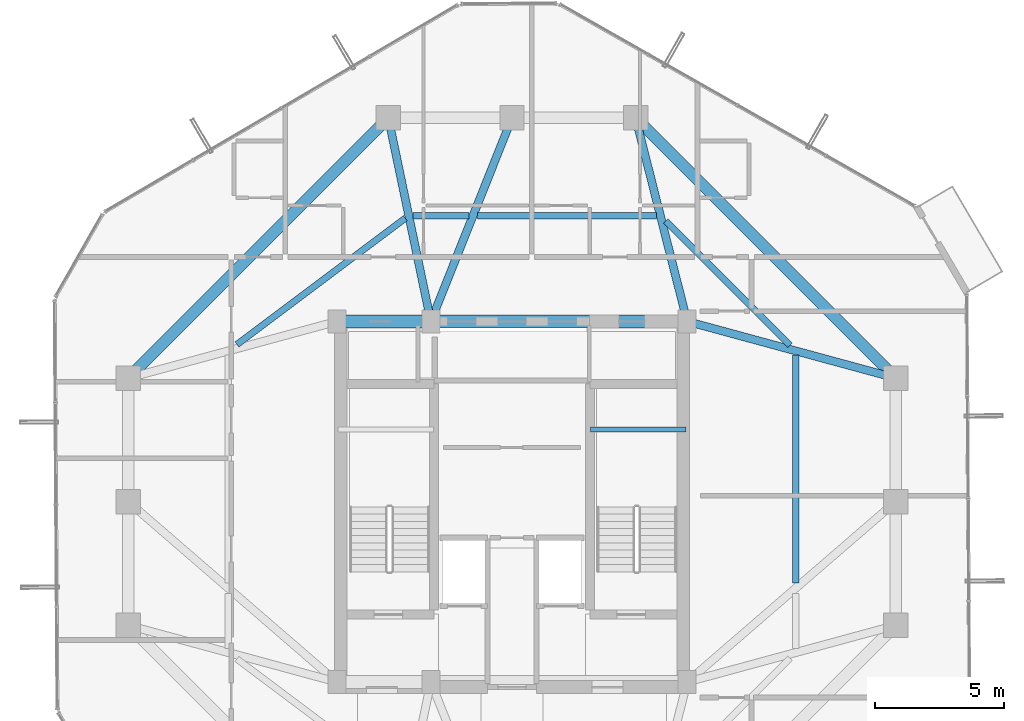
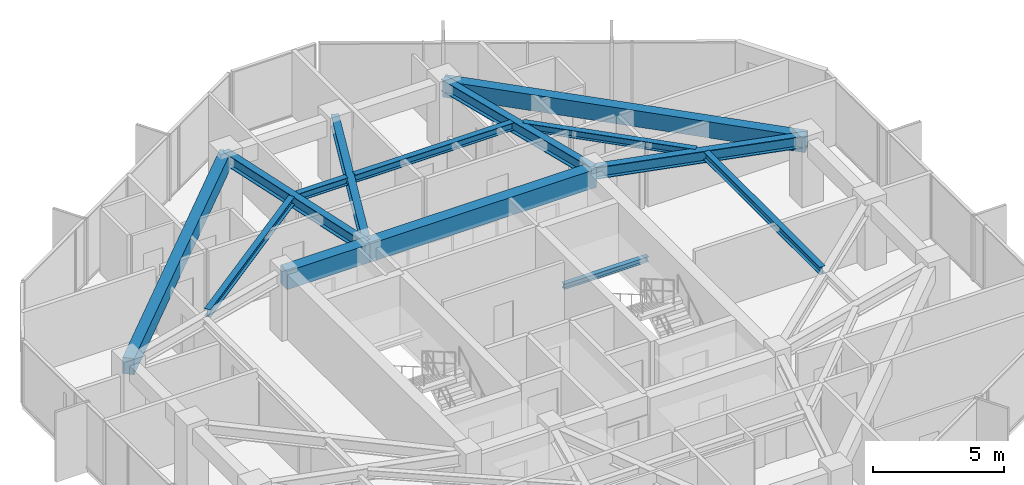
# One storey, part 16 of 31: 14 beams.
"""IFC4 building model written with IfcOpenShell, lengths in metres."""

from ifc_helpers import new_model, si_unit, direction, frame, origin, origin_2d, place, context, subcontext, project, spatial, rectangle, i_section, extrude, material, material_profile, profile_set, type_object, element, save


model = new_model("IFC4")

# Units and contexts
model_context = context("Model", 3, precision=1e-05, world=origin(), true_north=direction((0.0, 1.0)))
body_context = subcontext(model_context, "Body", "Model", "MODEL_VIEW")
ifc_project = project(units=[si_unit("LENGTHUNIT", "METRE"), si_unit("AREAUNIT", "SQUARE_METRE"), si_unit("VOLUMEUNIT", "CUBIC_METRE"), si_unit("PLANEANGLEUNIT", "RADIAN"), si_unit("MASSUNIT", "GRAM", prefix="KILO")], contexts=[model_context])

# Site, building, storey
site_placement = place(None, origin())
site = spatial("IfcSite", under=ifc_project, at=site_placement, CompositionType="ELEMENT")
building_placement = place(site_placement, origin())
building = spatial("IfcBuilding", under=site, at=building_placement, Name="Veraguas Prism Commons", CompositionType="ELEMENT")
storey_placement = place(building_placement, frame((0.0, 0.0, 204.85009765625)))
storey = spatial("IfcBuildingStorey", under=building, at=storey_placement, Name="L58", CompositionType="ELEMENT", Elevation=204.85009765625)

# Beams
ifc_material_1 = material(Name="Concrete C50/60", Category="concrete")
ifc_material_profile_1 = material_profile(ifc_material_1, rectangle(XDim=0.5, YDim=0.85009765625, at=origin_2d()), Name="RC500X850")
ifc_profile_set_1 = profile_set([ifc_material_profile_1], Name="Concrete C50/60")
beam_type_1 = type_object("IfcBeamType", Name="Core Coupling Beam RC 500x850", PredefinedType="BEAM", material=ifc_profile_set_1)
beam_1_placement = place(storey_placement, frame((17.199951171875, 31.0, 2.58984375), z_axis=(1.0, 0.0, 0.0), x_axis=(0.0, 1.0, 0.0)))
element("IfcBeam", 1, at=beam_1_placement, inside=storey, type_object=beam_type_1, Name="Core Coupling Beam L58-CRN1", PredefinedType="BEAM", context=body_context, shape_type="SweptSolid", body=[
    extrude(rectangle(XDim=0.5, YDim=0.85009765625, at=origin_2d()), origin(), (0.0, 0.0, 1.0), 3.650146484375),
])
beam_2_placement = place(storey_placement, frame((20.85009765625, 31.0, 2.58984375), z_axis=(1.0, 0.0, 0.0), x_axis=(0.0, 1.0, 0.0)))
element("IfcBeam", 2, at=beam_2_placement, inside=storey, type_object=beam_type_1, Name="Core Coupling Beam L58-CRN2", PredefinedType="BEAM", context=body_context, shape_type="SweptSolid", body=[
    extrude(rectangle(XDim=0.5, YDim=0.85009765625, at=origin_2d()), origin(), (0.0, 0.0, 1.0), 9.949951171875),
])
ifc_material_profile_2 = material_profile(ifc_material_1, rectangle(XDim=0.449951171875, YDim=0.75, at=origin_2d()), Name="RC450X750")
ifc_profile_set_2 = profile_set([ifc_material_profile_2], Name="Concrete C50/60")
beam_type_2 = type_object("IfcBeamType", Name="Perimeter Spandrel Upper RC 450x750", PredefinedType="SPANDREL", material=ifc_profile_set_2)
for number, where, z_axis, x_axis, name in (
    (3, (38.89990234375, 28.800048828125, 2.639892578125), (-0.707106781187, 0.707106781187, 0.0), (-0.707106781187, -0.707106781187, 0.0), "Perimeter Spandrel Beam L58-SP03"),
    (4, (19.199951171875, 38.89990234375, 2.639892578125), (-0.707106781187, -0.707106781187, 0.0), (0.707106781187, -0.707106781187, 0.0), "Perimeter Spandrel Beam L58-SP06"),
):
    element("IfcBeam", number, at=place(storey_placement, frame(where, z_axis=z_axis, x_axis=x_axis)), inside=storey, type_object=beam_type_2, Name=name, PredefinedType="SPANDREL", context=body_context, shape_type="SweptSolid", body=[
        extrude(rectangle(XDim=0.449951171875, YDim=0.75, at=origin_2d()), origin(), (0.0, 0.0, 1.0), 14.283447265625),
    ])
ifc_material_2 = material(Name="Steel ASTM A992 Grade 50", Category="steel")
ifc_material_profile_3 = material_profile(ifc_material_2, i_section(OverallWidth=0.202880859375, OverallDepth=0.251953125, WebThickness=0.008056640625, FlangeThickness=0.013427734375, at=origin_2d()), Name="W250X58")
ifc_profile_set_3 = profile_set([ifc_material_profile_3], Name="Steel ASTM A992 Grade 50")
beam_type_3 = type_object("IfcBeamType", Name="Structural Opening Lintel W250x58", PredefinedType="LINTEL", material=ifc_profile_set_3)
beam_3_placement = place(storey_placement, frame((27.050048828125, 26.800048828125, 1.298828125), z_axis=(1.0, 0.0, 0.0), x_axis=(0.0, 1.0, 0.0)))
element("IfcBeam", 5, at=beam_3_placement, inside=storey, type_object=beam_type_3, Name="Stair ST-02 Half-Landing Support Beam L58-1", PredefinedType="LINTEL", context=body_context, shape_type="SweptSolid", body=[
    extrude(i_section(OverallWidth=0.202880859375, OverallDepth=0.251953125, WebThickness=0.008056640625, FlangeThickness=0.013427734375, at=origin_2d()), origin(), (0.0, 0.0, 1.0), 3.699951171875),
])
ifc_material_profile_4 = material_profile(ifc_material_2, i_section(OverallWidth=0.25390625, OverallDepth=0.35302734375, WebThickness=0.009521484375, FlangeThickness=0.016357421875, at=origin_2d()), Name="W360X91")
ifc_profile_set_4 = profile_set([ifc_material_profile_4], Name="Steel ASTM A992 Grade 50")
beam_type_4 = type_object("IfcBeamType", Name="Upper Floor Joist W360x91", PredefinedType="JOIST", material=ifc_profile_set_4)
beam_4_placement = place(storey_placement, frame((35.011962890625, 20.843017578125, 2.83837890625), z_axis=(0.0, 1.0, 0.0), x_axis=(-1.0, 0.0, 0.0)))
element("IfcBeam", 6, at=beam_4_placement, inside=storey, type_object=beam_type_4, Name="Composite Floor Joist L58-JS02", PredefinedType="JOIST", context=body_context, shape_type="SweptSolid", body=[
    extrude(i_section(OverallWidth=0.25390625, OverallDepth=0.35302734375, WebThickness=0.009521484375, FlangeThickness=0.016357421875, at=origin_2d()), origin(), (0.0, 0.0, 1.0), 8.85400390625),
])
beam_5_placement = place(storey_placement, frame((34.793701171875, 30.074462890625, 2.83837890625), z_axis=(-0.707124682851, 0.707088879069, 0.0), x_axis=(-0.707088879069, -0.707124682851, 0.0)))
element("IfcBeam", 7, at=beam_5_placement, inside=storey, type_object=beam_type_4, Name="Composite Floor Joist L58-JS03", PredefinedType="JOIST", context=body_context, shape_type="SweptSolid", body=[
    extrude(i_section(OverallWidth=0.25390625, OverallDepth=0.35302734375, WebThickness=0.009521484375, FlangeThickness=0.016357421875, at=origin_2d()), origin(), (0.0, 0.0, 1.0), 6.81884765625),
])
beam_6_placement = place(storey_placement, frame((29.601806640625, 35.10791015625, 2.83837890625), z_axis=(-1.0, 0.0, 0.0), x_axis=(0.0, -1.0, 0.0)))
element("IfcBeam", 8, at=beam_6_placement, inside=storey, type_object=beam_type_4, Name="Composite Floor Joist L58-JS04", PredefinedType="JOIST", context=body_context, shape_type="SweptSolid", body=[
    extrude(i_section(OverallWidth=0.25390625, OverallDepth=0.35302734375, WebThickness=0.009521484375, FlangeThickness=0.016357421875, at=origin_2d()), origin(), (0.0, 0.0, 1.0), 6.948486328125),
])
beam_7_placement = place(storey_placement, frame((22.32275390625, 35.10791015625, 2.83837890625), z_axis=(-1.0, 0.0, 0.0), x_axis=(0.0, -1.0, 0.0)))
element("IfcBeam", 9, at=beam_7_placement, inside=storey, type_object=beam_type_4, Name="Composite Floor Joist L58-JS05", PredefinedType="JOIST", context=body_context, shape_type="SweptSolid", body=[
    extrude(i_section(OverallWidth=0.25390625, OverallDepth=0.35302734375, WebThickness=0.009521484375, FlangeThickness=0.016357421875, at=origin_2d()), origin(), (0.0, 0.0, 1.0), 2.174072265625),
])
beam_8_placement = place(storey_placement, frame((19.8564453125, 35.00634765625, 2.83837890625), z_axis=(-0.800060962004, -0.599918708724, 0.0), x_axis=(0.599918708724, -0.800060962004, 0.0)))
element("IfcBeam", 10, at=beam_8_placement, inside=storey, type_object=beam_type_4, Name="Composite Floor Joist L58-JS06", PredefinedType="JOIST", context=body_context, shape_type="SweptSolid", body=[
    extrude(i_section(OverallWidth=0.25390625, OverallDepth=0.35302734375, WebThickness=0.009521484375, FlangeThickness=0.016357421875, at=origin_2d()), origin(), (0.0, 0.0, 1.0), 8.169189453125),
])
ifc_material_profile_5 = material_profile(ifc_material_2, i_section(OverallWidth=0.31103515625, OverallDepth=0.5458984375, WebThickness=0.0146484375, FlangeThickness=0.023681640625, at=origin_2d()), Name="W530X165")
ifc_profile_set_5 = profile_set([ifc_material_profile_5], Name="Steel ASTM A992 Grade 50")
beam_type_5 = type_object("IfcBeamType", Name="Zone 3 Radial Girder W530x165", PredefinedType="BEAM", material=ifc_profile_set_5)
beam_9_placement = place(storey_placement, frame((38.89990234375, 28.800048828125, 2.741943359375), z_axis=(-0.965038506703, 0.262108146725, 0.0), x_axis=(-0.262108146725, -0.965038506703, 0.0)))
element("IfcBeam", 11, at=beam_9_placement, inside=storey, type_object=beam_type_5, Name="Radial Floor Girder L58-RD03", PredefinedType="BEAM", context=body_context, shape_type="SweptSolid", body=[
    extrude(i_section(OverallWidth=0.31103515625, OverallDepth=0.5458984375, WebThickness=0.0146484375, FlangeThickness=0.023681640625, at=origin_2d()), origin(), (0.0, 0.0, 1.0), 8.393310546875),
])
beam_10_placement = place(storey_placement, frame((28.800048828125, 38.89990234375, 2.741943359375), z_axis=(0.245424718066, -0.969415652732, 0.0), x_axis=(0.969415652732, 0.245424718066, 0.0)))
element("IfcBeam", 12, at=beam_10_placement, inside=storey, type_object=beam_type_5, Name="Radial Floor Girder L58-RD04", PredefinedType="BEAM", context=body_context, shape_type="SweptSolid", body=[
    extrude(i_section(OverallWidth=0.31103515625, OverallDepth=0.5458984375, WebThickness=0.0146484375, FlangeThickness=0.023681640625, at=origin_2d()), origin(), (0.0, 0.0, 1.0), 8.149169921875),
])
beam_11_placement = place(storey_placement, frame((24.0, 38.89990234375, 2.741943359375), z_axis=(-0.370370877803, -0.928883960931, 0.0), x_axis=(0.928883960931, -0.370370877803, 0.0)))
element("IfcBeam", 13, at=beam_11_placement, inside=storey, type_object=beam_type_5, Name="Radial Floor Girder L58-RD05", PredefinedType="BEAM", context=body_context, shape_type="SweptSolid", body=[
    extrude(i_section(OverallWidth=0.31103515625, OverallDepth=0.5458984375, WebThickness=0.0146484375, FlangeThickness=0.023681640625, at=origin_2d()), origin(), (0.0, 0.0, 1.0), 8.504638671875),
])
beam_12_placement = place(storey_placement, frame((19.199951171875, 38.89990234375, 2.741943359375), z_axis=(0.204468851168, -0.978873070884, 0.0), x_axis=(0.978873070884, 0.204468851168, 0.0)))
element("IfcBeam", 14, at=beam_12_placement, inside=storey, type_object=beam_type_5, Name="Radial Floor Girder L58-RD06", PredefinedType="BEAM", context=body_context, shape_type="SweptSolid", body=[
    extrude(i_section(OverallWidth=0.31103515625, OverallDepth=0.5458984375, WebThickness=0.0146484375, FlangeThickness=0.023681640625, at=origin_2d()), origin(), (0.0, 0.0, 1.0), 8.0703125),
])

save(model, "model.ifc")
